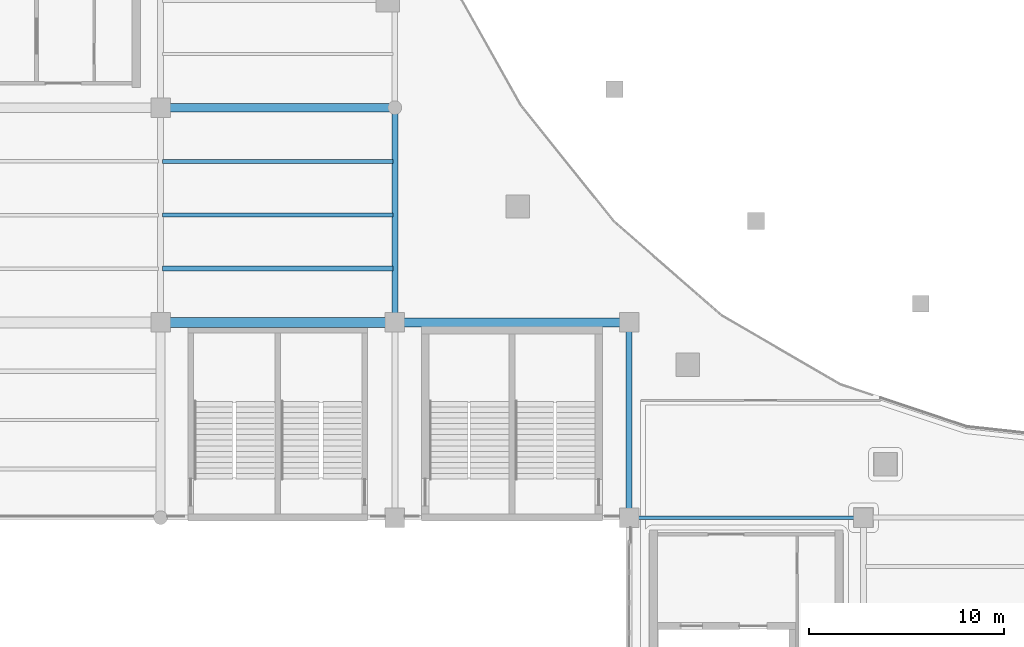
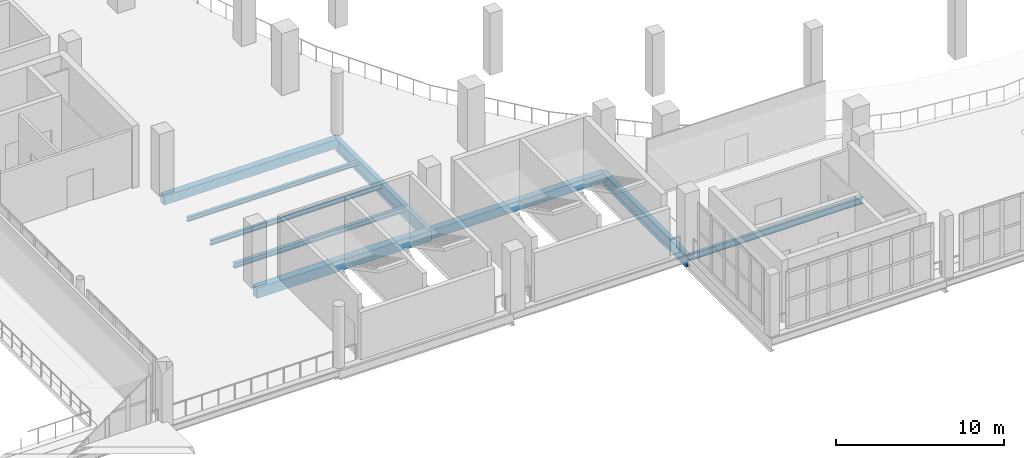
# One storey, part 31 of 108: 9 beams.
"""IFC4 building model written with IfcOpenShell, lengths in metres."""

import ifcopenshell
import ifcopenshell.guid

model = None  # the IFC model being written
_history = None  # IfcOwnerHistory: only IFC2X3 demands one
_inside = {}  # id of a spatial element -> (the spatial element, [elements in it])
_under = {}  # id of a project, library or spatial element -> (it, [spatial elements below it])
_declared = {}  # id of a project -> (the project, [libraries it declares])
_typed = {}  # id of a type object -> (the type object, [elements of that type])
_made_of = {}  # id of a material, layer set ... -> (it, [elements and type objects made of it])


def new_model(schema):
    """Start an empty IFC model of exactly this schema.

    Asked for "IFC4X3", IfcOpenShell would pick the latest addendum, in which some entities
    have other attributes; the version numbers below select the first issue.
    IFC2X3 requires an IfcOwnerHistory on every rooted entity: one is made here for all.
    """
    global model, _history
    if schema == "IFC4X3":
        model = ifcopenshell.file(schema_version=(4, 3, 0, 0))
    else:
        model = ifcopenshell.file(schema=schema)
    _inside.clear()
    _under.clear()
    _declared.clear()
    _typed.clear()
    _made_of.clear()
    _history = None
    if model.schema == "IFC2X3":
        org = make("IfcOrganization", Name="unknown")
        user = make(
            "IfcPersonAndOrganization",
            ThePerson=make("IfcPerson", FamilyName="unknown"),
            TheOrganization=org,
        )
        app = make(
            "IfcApplication",
            ApplicationDeveloper=org,
            Version="unknown",
            ApplicationFullName="unknown",
            ApplicationIdentifier="unknown",
        )
        _history = make(
            "IfcOwnerHistory",
            OwningUser=user,
            OwningApplication=app,
            ChangeAction="ADDED",
            CreationDate=0,
        )
    return model


def make(cls, **values):
    """One entity of the class cls with the attributes given. An attribute that is None is left unset."""
    return model.create_entity(
        cls, **{name: value for name, value in values.items() if value is not None}
    )


def rooted(cls, **values):
    """An entity with a GlobalId (a new one), such as an element, a storey or a relation."""
    return make(cls, GlobalId=ifcopenshell.guid.new(), OwnerHistory=_history, **values)


def si_unit(unit_type, name, prefix=None):
    """IfcSIUnit, for example si_unit("LENGTHUNIT", "METRE", prefix="MILLI")."""
    return make("IfcSIUnit", UnitType=unit_type, Prefix=prefix, Name=name)


def assignment(units):
    """IfcUnitAssignment: the units of a project."""
    return None if units is None else make("IfcUnitAssignment", Units=units)


def point(xyz):
    """IfcCartesianPoint."""
    return None if xyz is None else make("IfcCartesianPoint", Coordinates=xyz)


def direction(xyz):
    """IfcDirection."""
    return None if xyz is None else make("IfcDirection", DirectionRatios=xyz)


def frame(location, z_axis=None, x_axis=None):
    """IfcAxis2Placement3D, a coordinate frame: its origin and axes. An axis left out is left unset."""
    return make(
        "IfcAxis2Placement3D",
        Location=point(location),
        Axis=direction(z_axis),
        RefDirection=direction(x_axis),
    )


def frame_2d(location, x_axis=None):
    """IfcAxis2Placement2D, a coordinate frame in the plane: its origin and x axis."""
    return make(
        "IfcAxis2Placement2D", Location=point(location), RefDirection=direction(x_axis)
    )


def origin():
    """The frame at (0, 0, 0) with its axes left unset."""
    return frame((0.0, 0.0, 0.0))


def origin_2d():
    """The frame at (0, 0) in the plane with its x axis left unset."""
    return frame_2d((0.0, 0.0))


def place(relative_to, where):
    """IfcLocalPlacement: puts the frame where relative to a parent placement (None: the world)."""
    return make(
        "IfcLocalPlacement", PlacementRelTo=relative_to, RelativePlacement=where
    )


def context(
    kind, dimensions, precision=None, world=None, true_north=None, identifier=None
):
    """IfcGeometricRepresentationContext, for example the 3D "Model" context."""
    return make(
        "IfcGeometricRepresentationContext",
        ContextIdentifier=identifier,
        ContextType=kind,
        CoordinateSpaceDimension=dimensions,
        Precision=precision,
        WorldCoordinateSystem=world,
        TrueNorth=true_north,
    )


def subcontext(parent, identifier, kind, view, scale=None):
    """IfcGeometricRepresentationSubContext, for example "Body" below "Model"."""
    return make(
        "IfcGeometricRepresentationSubContext",
        ContextIdentifier=identifier,
        ContextType=kind,
        ParentContext=parent,
        TargetScale=scale,
        TargetView=view,
    )


def project(units=None, contexts=None):
    """IfcProject with its units and contexts."""
    return rooted(
        "IfcProject",
        Name="project",
        RepresentationContexts=contexts,
        UnitsInContext=assignment(units),
    )


def spatial(cls, under=None, at=None, **own):
    """A site, building, storey or space (cls), placed at a placement, below another one or the project."""
    s = rooted(cls, ObjectPlacement=at, **own)
    if under is not None:
        _under.setdefault(under.id(), (under, []))[1].append(s)
    return s


def profile(cls, at=None, kind="AREA", **sizes):
    """A parametric profile (cls). Its sizes go by their IFC names, for example OverallWidth=200.0."""
    return make(cls, ProfileType=kind, Position=at, **sizes)


def rectangle(**sizes):
    """IfcRectangleProfileDef."""
    return profile("IfcRectangleProfileDef", **sizes)


def i_section(**sizes):
    """IfcIShapeProfileDef."""
    return profile("IfcIShapeProfileDef", **sizes)


def extrude(swept, where, along, depth):
    """IfcExtrudedAreaSolid: the profile swept, set in the frame where, extruded along a direction by depth."""
    return make(
        "IfcExtrudedAreaSolid",
        SweptArea=swept,
        Position=where,
        ExtrudedDirection=direction(along),
        Depth=depth,
    )


def shape(context_of_items, identifier, shape_type, items):
    """IfcShapeRepresentation: the items that make up one representation, for example the "Body"."""
    return make(
        "IfcShapeRepresentation",
        ContextOfItems=context_of_items,
        RepresentationIdentifier=identifier,
        RepresentationType=shape_type,
        Items=items,
    )


def material(Name=None, Category=None):
    """IfcMaterial."""
    return make("IfcMaterial", Name=Name, Category=Category)


def material_profile(
    of_material, cross_section, Name=None, Category=None, Priority=None
):
    """IfcMaterialProfile: a cross section and its material."""
    return make(
        "IfcMaterialProfile",
        Name=Name,
        Material=of_material,
        Profile=cross_section,
        Priority=Priority,
        Category=Category,
    )


def profile_set(profiles, Name=None, composite=None):
    """IfcMaterialProfileSet."""
    return make(
        "IfcMaterialProfileSet",
        Name=Name,
        MaterialProfiles=profiles,
        CompositeProfile=composite,
    )


def made_of(thing, what):
    """Note that an element or type object is made of a material, layer set ...; save() writes the relation."""
    if what is not None:
        _made_of.setdefault(what.id(), (what, []))[1].append(thing)
    return thing


def type_object(cls, material=None, **own):
    """A type object (cls), such as IfcWallType, which elements share."""
    return made_of(rooted(cls, **own), material)


def element(
    cls,
    number,
    at=None,
    inside=None,
    cuts=None,
    type_object=None,
    material=None,
    context=None,
    identifier="Body",
    shape_type=None,
    held_by="IfcProductDefinitionShape",
    body=None,
    shapes=None,
    **own,
):
    """One element of the class cls, such as IfcWall. Its Tag is "e" and its number.

    at: its placement. inside: the storey or other place that contains it. cuts: it is an
    opening in that element (IfcRelVoidsElement). A single representation is given by context,
    identifier, shape_type and body (its items); several are given by shapes. held_by: the class
    of the entity that holds the representations. save() writes the other relations.
    """
    e = rooted(cls, Tag="e%d" % number, ObjectPlacement=at, **own)
    if body is not None:
        shapes = [shape(context, identifier, shape_type, body)]
    if shapes is not None:
        e.Representation = make(held_by, Representations=shapes)
    if inside is not None:
        _inside.setdefault(inside.id(), (inside, []))[1].append(e)
    if cuts is not None:
        rooted(
            "IfcRelVoidsElement", RelatingBuildingElement=cuts, RelatedOpeningElement=e
        )
    if type_object is not None:
        _typed.setdefault(type_object.id(), (type_object, []))[1].append(e)
    return made_of(e, material)


def aggregate(whole, parts):
    """IfcRelAggregates: a whole, such as a stair, and the parts it consists of."""
    return rooted("IfcRelAggregates", RelatingObject=whole, RelatedObjects=parts)


def save(model, path):
    """Write the relations noted so far, then the file.

    IfcRelAggregates (storeys below a building ...), IfcRelContainedInSpatialStructure (elements
    in a storey), IfcRelDefinesByType, IfcRelAssociatesMaterial and IfcRelDeclares: one each for
    every whole, place, type object, material and project.
    """
    for whole, parts in _under.values():
        aggregate(whole, parts)
    for where, things in _inside.values():
        rooted(
            "IfcRelContainedInSpatialStructure",
            RelatedElements=things,
            RelatingStructure=where,
        )
    for kind, things in _typed.values():
        rooted("IfcRelDefinesByType", RelatedObjects=things, RelatingType=kind)
    for what, things in _made_of.values():
        rooted("IfcRelAssociatesMaterial", RelatedObjects=things, RelatingMaterial=what)
    for by, libraries in _declared.values():
        rooted("IfcRelDeclares", RelatingContext=by, RelatedDefinitions=libraries)
    model.write(path)


model = new_model("IFC4")

# Units and contexts
model_context = context("Model", 3, precision=1e-05, world=origin(), true_north=direction((0.0, 1.0)))
body_context = subcontext(model_context, "Body", "Model", "MODEL_VIEW")
ifc_project = project(units=[si_unit("LENGTHUNIT", "METRE"), si_unit("AREAUNIT", "SQUARE_METRE"), si_unit("VOLUMEUNIT", "CUBIC_METRE"), si_unit("PLANEANGLEUNIT", "RADIAN"), si_unit("MASSUNIT", "GRAM", prefix="KILO")], contexts=[model_context])

# Site, building, storey
site_placement = place(None, origin())
site = spatial("IfcSite", under=ifc_project, at=site_placement, CompositionType="ELEMENT")
building_placement = place(site_placement, origin())
building = spatial("IfcBuilding", under=site, at=building_placement, Name="Brinegate Civic Arena", CompositionType="ELEMENT")
storey_placement = place(building_placement, frame((0.0, 0.0, 10.199951171875)))
storey = spatial("IfcBuildingStorey", under=building, at=storey_placement, Name="L02", CompositionType="ELEMENT", Elevation=10.199951171875)

# Beams
ifc_material_1 = material(Name="Steel S355", Category="steel")
ifc_material_profile_1 = material_profile(ifc_material_1, i_section(OverallWidth=0.30810546875, OverallDepth=0.927001953125, WebThickness=0.01904296875, FlangeThickness=0.031982421875, FilletRadius=0.02392578125, at=origin_2d()), Name="W920X289")
ifc_profile_set_1 = profile_set([ifc_material_profile_1], Name="Steel S355")
beam_type_1 = type_object("IfcBeamType", Name="GIRDER-W920X289", PredefinedType="BEAM", material=ifc_profile_set_1)
beam_1_placement = place(storey_placement, frame((72.0, 20.0, -0.79296875), z_axis=(0.0, 1.0, 0.0), x_axis=(-1.0, 0.0, 0.0)))
element("IfcBeam", 1, at=beam_1_placement, inside=storey, type_object=beam_type_1, Name="Floor Girder BM-L02-GY-06-02", PredefinedType="BEAM", context=body_context, shape_type="SweptSolid", body=[
    extrude(i_section(OverallWidth=0.30810546875, OverallDepth=0.927001953125, WebThickness=0.01904296875, FlangeThickness=0.031982421875, FilletRadius=0.02392578125, at=origin_2d()), origin(), (0.0, 0.0, 1.0), 11.0),
])
beam_2_placement = place(storey_placement, frame((84.0, 10.0, -0.79296875), z_axis=(0.0, 1.0, 0.0), x_axis=(-1.0, 0.0, 0.0)))
element("IfcBeam", 2, at=beam_2_placement, inside=storey, type_object=beam_type_1, Name="Floor Girder BM-L02-GY-07-01", PredefinedType="BEAM", context=body_context, shape_type="SweptSolid", body=[
    extrude(i_section(OverallWidth=0.30810546875, OverallDepth=0.927001953125, WebThickness=0.01904296875, FlangeThickness=0.031982421875, FilletRadius=0.02392578125, at=origin_2d()), origin(), (0.0, 0.0, 1.0), 10.0),
])
ifc_material_profile_2 = material_profile(ifc_material_1, i_section(OverallWidth=0.205078125, OverallDepth=0.31005859375, WebThickness=0.009033203125, FlangeThickness=0.01611328125, FilletRadius=0.012939453125, at=origin_2d()), Name="W310X74")
ifc_profile_set_2 = profile_set([ifc_material_profile_2], Name="Steel S355")
beam_type_2 = type_object("IfcBeamType", Name="JOIST-W310X74", PredefinedType="JOIST", material=ifc_profile_set_2)
beam_3_placement = place(storey_placement, frame((60.10595703125, 28.25, -0.48486328125), z_axis=(1.0, 0.0, 0.0), x_axis=(0.0, 1.0, 0.0)))
element("IfcBeam", 3, at=beam_3_placement, inside=storey, type_object=beam_type_2, Name="Secondary Joist BM-L02-JX-05-02-3", PredefinedType="JOIST", context=body_context, shape_type="SweptSolid", body=[
    extrude(i_section(OverallWidth=0.205078125, OverallDepth=0.31005859375, WebThickness=0.009033203125, FlangeThickness=0.01611328125, FilletRadius=0.012939453125, at=origin_2d()), origin(), (0.0, 0.0, 1.0), 11.7880859375),
])
ifc_material_profile_3 = material_profile(ifc_material_1, i_section(OverallWidth=0.205078125, OverallDepth=0.35400390625, WebThickness=0.009033203125, FlangeThickness=0.01708984375, FilletRadius=0.013916015625, at=origin_2d()), Name="W360X79")
ifc_profile_set_3 = profile_set([ifc_material_profile_3], Name="Steel S355")
beam_type_3 = type_object("IfcBeamType", Name="JOIST-W360X79", PredefinedType="JOIST", material=ifc_profile_set_3)
beam_4_placement = place(storey_placement, frame((60.10595703125, 25.5, -0.5068359375), z_axis=(1.0, 0.0, 0.0), x_axis=(0.0, 1.0, 0.0)))
element("IfcBeam", 4, at=beam_4_placement, inside=storey, type_object=beam_type_3, Name="Secondary Joist BM-L02-JX-05-02-2", PredefinedType="JOIST", context=body_context, shape_type="SweptSolid", body=[
    extrude(i_section(OverallWidth=0.205078125, OverallDepth=0.35400390625, WebThickness=0.009033203125, FlangeThickness=0.01708984375, FilletRadius=0.013916015625, at=origin_2d()), origin(), (0.0, 0.0, 1.0), 11.7880859375),
])
ifc_material_profile_4 = material_profile(ifc_material_1, i_section(OverallWidth=0.25390625, OverallDepth=0.35302734375, WebThickness=0.010009765625, FlangeThickness=0.01611328125, FilletRadius=0.013916015625, at=origin_2d()), Name="W360X91")
ifc_profile_set_4 = profile_set([ifc_material_profile_4], Name="Steel S355")
beam_type_4 = type_object("IfcBeamType", Name="JOIST-W360X91", PredefinedType="JOIST", material=ifc_profile_set_4)
beam_5_placement = place(storey_placement, frame((60.10595703125, 22.75, -0.505859375), z_axis=(1.0, 0.0, 0.0), x_axis=(0.0, 1.0, 0.0)))
element("IfcBeam", 5, at=beam_5_placement, inside=storey, type_object=beam_type_4, Name="Secondary Joist BM-L02-JX-05-02-1", PredefinedType="JOIST", context=body_context, shape_type="SweptSolid", body=[
    extrude(i_section(OverallWidth=0.25390625, OverallDepth=0.35302734375, WebThickness=0.010009765625, FlangeThickness=0.01611328125, FilletRadius=0.013916015625, at=origin_2d()), origin(), (0.0, 0.0, 1.0), 11.7880859375),
])
ifc_material_2 = material(Name="Concrete C50/60", Category="concrete")
ifc_material_profile_5 = material_profile(ifc_material_2, rectangle(XDim=0.449951171875, YDim=0.64990234375, at=origin_2d()), Name="RCB450X650")
ifc_profile_set_5 = profile_set([ifc_material_profile_5], Name="Concrete C50/60")
beam_type_5 = type_object("IfcBeamType", Name="RCG-450X650", PredefinedType="BEAM", material=ifc_profile_set_5)
for number, where, z_axis, x_axis, name in (
    (6, (72.0, 20.0, -0.655029296875), (1.0, 0.0, 0.0), (0.0, 1.0, 0.0), "Floor Girder BM-L02-GX-06-02"),
    (7, (60.0, 31.0, -0.655029296875), (1.0, 0.0, 0.0), (0.0, 1.0, 0.0), "Floor Girder BM-L02-GX-05-03"),
):
    element("IfcBeam", number, at=place(storey_placement, frame(where, z_axis=z_axis, x_axis=x_axis)), inside=storey, type_object=beam_type_5, Name=name, PredefinedType="BEAM", context=body_context, shape_type="SweptSolid", body=[
        extrude(rectangle(XDim=0.449951171875, YDim=0.64990234375, at=origin_2d()), origin(), (0.0, 0.0, 1.0), 12.0),
    ])
ifc_material_profile_6 = material_profile(ifc_material_2, rectangle(XDim=0.5, YDim=0.75, at=origin_2d()), Name="RCB500X750")
ifc_profile_set_6 = profile_set([ifc_material_profile_6], Name="Concrete C50/60")
beam_type_6 = type_object("IfcBeamType", Name="RCG-500X750", PredefinedType="BEAM", material=ifc_profile_set_6)
beam_6_placement = place(storey_placement, frame((60.0, 20.0, -0.704833984375), z_axis=(1.0, 0.0, 0.0), x_axis=(0.0, 1.0, 0.0)))
element("IfcBeam", 8, at=beam_6_placement, inside=storey, type_object=beam_type_6, Name="Floor Girder BM-L02-GX-05-02", PredefinedType="BEAM", context=body_context, shape_type="SweptSolid", body=[
    extrude(rectangle(XDim=0.5, YDim=0.75, at=origin_2d()), origin(), (0.0, 0.0, 1.0), 12.0),
])
ifc_material_profile_7 = material_profile(ifc_material_1, i_section(OverallWidth=0.193115234375, OverallDepth=0.466064453125, WebThickness=0.010986328125, FlangeThickness=0.01904296875, FilletRadius=0.014892578125, at=origin_2d()), Name="W460X97")
ifc_profile_set_7 = profile_set([ifc_material_profile_7], Name="Steel S355")
beam_type_7 = type_object("IfcBeamType", Name="SPANDREL-W460X97", PredefinedType="SPANDREL", material=ifc_profile_set_7)
beam_7_placement = place(storey_placement, frame((84.0, 10.0, -0.56298828125), z_axis=(1.0, 0.0, 0.0), x_axis=(0.0, 1.0, 0.0)))
element("IfcBeam", 9, at=beam_7_placement, inside=storey, type_object=beam_type_7, Name="Floor Girder BM-L02-GX-07-01", PredefinedType="SPANDREL", context=body_context, shape_type="SweptSolid", body=[
    extrude(i_section(OverallWidth=0.193115234375, OverallDepth=0.466064453125, WebThickness=0.010986328125, FlangeThickness=0.01904296875, FilletRadius=0.014892578125, at=origin_2d()), origin(), (0.0, 0.0, 1.0), 12.0),
])

save(model, "model.ifc")
